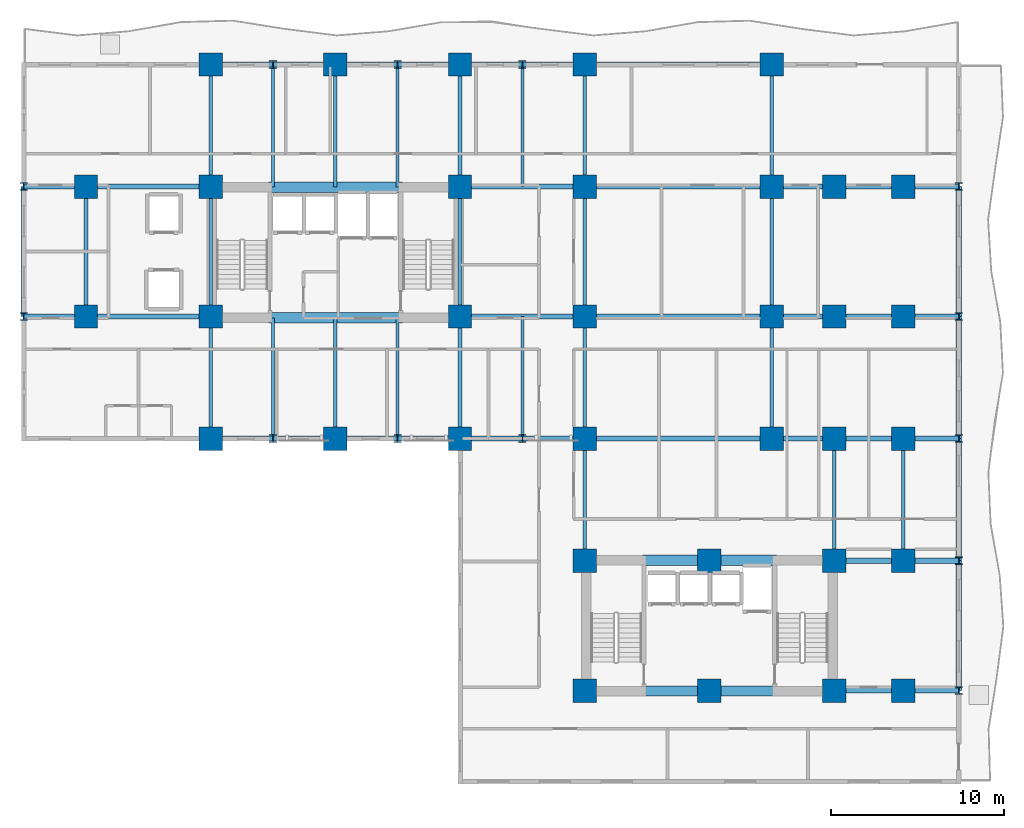
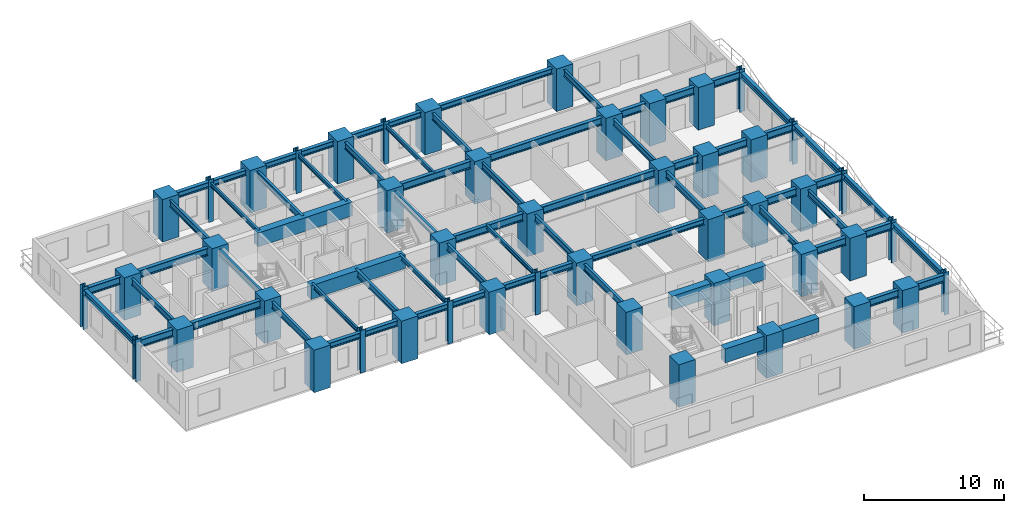
# One storey, part 1 of 11: 68 beams, 47 columns.
"""IFC4 building model written with IfcOpenShell, lengths in metres."""

from ifc_helpers import new_model, si_unit, direction, frame, origin, origin_2d, place, context, subcontext, project, spatial, rectangle, i_section, extrude, source, transform, mapped, material, material_profile, profile_set, type_object, element, save


model = new_model("IFC4")

# Units and contexts
model_context = context("Model", 3, precision=1e-05, world=origin(), true_north=direction((0.0, 1.0)))
body_context = subcontext(model_context, "Body", "Model", "MODEL_VIEW")
ifc_project = project(units=[si_unit("LENGTHUNIT", "METRE"), si_unit("AREAUNIT", "SQUARE_METRE"), si_unit("VOLUMEUNIT", "CUBIC_METRE"), si_unit("PLANEANGLEUNIT", "RADIAN"), si_unit("MASSUNIT", "GRAM", prefix="KILO")], contexts=[model_context])

# Site, building, storey
site_placement = place(None, origin())
site = spatial("IfcSite", under=ifc_project, at=site_placement, CompositionType="ELEMENT")
building_placement = place(site_placement, origin())
building = spatial("IfcBuilding", under=site, at=building_placement, Name="Kaliganga Portal Commons", CompositionType="ELEMENT")
storey_placement = place(building_placement, frame((0.0, 0.0, 36.39990234375)))
storey = spatial("IfcBuildingStorey", under=building, at=storey_placement, Name="L08", CompositionType="ELEMENT", Elevation=36.39990234375)

# Columns
ifc_material_1 = material(Name="Concrete C70/85", Category="concrete")
ifc_material_profile_1 = material_profile(ifc_material_1, rectangle(XDim=1.35009765625, YDim=1.35009765625, at=origin_2d()), Name="RC 1350x1350")
ifc_profile_set_1 = profile_set([ifc_material_profile_1], Name="Concrete C70/85")
column_type_1 = type_object("IfcColumnType", Name="COL-MEGA-Z1", PredefinedType="COLUMN", material=ifc_profile_set_1)
shared_shape_1 = source(origin(), body_context, "Body", "SweptSolid", [
    extrude(rectangle(XDim=1.35009765625, YDim=1.35009765625, at=origin_2d()), origin(), (0.0, 0.0, 1.0), 3.7001953125),
])
for number, where, z_axis, x_axis, name in (
    (1, (7.199951171875, 28.64990234375, 0.0), (0.0, 0.0, 1.0), (1.0, 0.0, 0.0), "Column MC-02 L08"),
    (2, (7.199951171875, 36.14990234375, 0.0), (0.0, 0.0, 1.0), (1.0, 0.0, 0.0), "Column MC-02 L08"),
    (3, (14.39990234375, 21.60009765625, 0.0), (0.0, 0.0, 1.0), (1.0, 0.0, 0.0), "Column MC-02 L08"),
    (4, (14.39990234375, 28.64990234375, 0.0), (0.0, 0.0, 1.0), (1.0, 0.0, 0.0), "Column MC-02 L08"),
    (5, (14.39990234375, 36.14990234375, 0.0), (0.0, 0.0, 1.0), (1.0, 0.0, 0.0), "Column MC-02 L08"),
    (6, (14.39990234375, 43.199951171875, 0.0), (0.0, 0.0, 1.0), (1.0, 0.0, 0.0), "Column MC-02 L08"),
    (7, (21.60009765625, 21.60009765625, 0.0), (0.0, 0.0, 1.0), (1.0, 0.0, 0.0), "Column MC-02 L08"),
    (8, (21.60009765625, 43.199951171875, 0.0), (0.0, 0.0, 1.0), (1.0, 0.0, 0.0), "Column MC-02 L08"),
    (9, (28.800048828125, 21.60009765625, 0.0), (0.0, 0.0, 1.0), (1.0, 0.0, 0.0), "Column MC-02 L08"),
    (10, (28.800048828125, 28.64990234375, 0.0), (0.0, 0.0, 1.0), (1.0, 0.0, 0.0), "Column MC-02 L08"),
    (11, (28.800048828125, 36.14990234375, 0.0), (0.0, 0.0, 1.0), (1.0, 0.0, 0.0), "Column MC-02 L08"),
    (12, (28.800048828125, 43.199951171875, 0.0), (0.0, 0.0, 1.0), (1.0, 0.0, 0.0), "Column MC-02 L08"),
    (13, (36.0, 21.60009765625, 0.0), (0.0, 0.0, 1.0), (1.0, 0.0, 0.0), "Column MC-02 L08"),
    (14, (36.0, 43.199951171875, 0.0), (0.0, 0.0, 1.0), (1.0, 0.0, 0.0), "Column MC-02 L08"),
    (15, (36.0, 28.64990234375, 0.0), (0.0, 0.0, 1.0), (1.0, 0.0, 0.0), "Column MC-02 L08"),
    (16, (36.0, 36.14990234375, 0.0), (0.0, 0.0, 1.0), (1.0, 0.0, 0.0), "Column MC-02 L08"),
    (17, (46.800048828125, 21.60009765625, 0.0), (0.0, 0.0, 1.0), (1.0, 0.0, 0.0), "Column MC-02 L08"),
    (18, (46.800048828125, 28.64990234375, 0.0), (0.0, 0.0, 1.0), (1.0, 0.0, 0.0), "Column MC-02 L08"),
    (19, (46.800048828125, 36.14990234375, 0.0), (0.0, 0.0, 1.0), (1.0, 0.0, 0.0), "Column MC-02 L08"),
    (20, (46.800048828125, 43.199951171875, 0.0), (0.0, 0.0, 1.0), (1.0, 0.0, 0.0), "Column MC-02 L08"),
    (21, (36.0, 7.050048828125, 0.0), (0.0, 0.0, 1.0), (1.0, 0.0, 0.0), "Column MC-02 L08"),
    (22, (36.0, 14.550048828125, 0.0), (0.0, 0.0, 1.0), (1.0, 0.0, 0.0), "Column MC-02 L08"),
    (23, (43.199951171875, 7.050048828125, 0.0), (0.0, 0.0, 1.0), (1.0, 0.0, 0.0), "Column MC-02 L08"),
    (24, (43.199951171875, 14.550048828125, 0.0), (0.0, 0.0, 1.0), (1.0, 0.0, 0.0), "Column MC-02 L08"),
    (25, (50.39990234375, 7.050048828125, 0.0), (0.0, 0.0, 1.0), (1.0, 0.0, 0.0), "Column MC-02 L08"),
    (26, (50.39990234375, 14.550048828125, 0.0), (0.0, 0.0, 1.0), (1.0, 0.0, 0.0), "Column MC-02 L08"),
    (27, (50.39990234375, 21.60009765625, 0.0), (0.0, 0.0, 1.0), (1.0, 0.0, 0.0), "Column MC-02 L08"),
    (28, (50.39990234375, 28.64990234375, 0.0), (0.0, 0.0, 1.0), (1.0, 0.0, 0.0), "Column MC-02 L08"),
    (29, (50.39990234375, 36.14990234375, 0.0), (0.0, 0.0, 1.0), (1.0, 0.0, 0.0), "Column MC-02 L08"),
    (30, (54.39990234375, 7.050048828125, 0.0), (0.0, 0.0, 1.0), (1.0, 0.0, 0.0), "Column MC-02 L08"),
    (31, (54.39990234375, 14.550048828125, 0.0), (0.0, 0.0, 1.0), (1.0, 0.0, 0.0), "Column MC-02 L08"),
    (32, (54.39990234375, 21.60009765625, 0.0), (0.0, 0.0, 1.0), (1.0, 0.0, 0.0), "Column MC-02 L08"),
    (33, (54.39990234375, 28.64990234375, 0.0), (0.0, 0.0, 1.0), (1.0, 0.0, 0.0), "Column MC-02 L08"),
    (34, (54.39990234375, 36.14990234375, 0.0), (0.0, 0.0, 1.0), (1.0, 0.0, 0.0), "Column MC-02 L08"),
):
    element("IfcColumn", number, at=place(storey_placement, frame(where, z_axis=z_axis, x_axis=x_axis)), inside=storey, type_object=column_type_1, Name=name, PredefinedType="COLUMN", context=body_context, shape_type="MappedRepresentation", body=[
        mapped(shared_shape_1, transform((0.0, 0.0, 0.0), x_axis=(1.0, 0.0, 0.0), y_axis=(0.0, 1.0, 0.0), z_axis=(0.0, 0.0, 1.0), scale=1.0)),
    ])
ifc_material_2 = material(Name="Structural steel S460M", Category="steel")
ifc_material_profile_2 = material_profile(ifc_material_2, i_section(OverallWidth=0.416015625, OverallDepth=0.446044921875, WebThickness=0.029052734375, FlangeThickness=0.0400390625, FilletRadius=0.014892578125, at=origin_2d()), Name="HD 400x509")
ifc_profile_set_2 = profile_set([ifc_material_profile_2], Name="Structural steel S460M wide-flange")
column_type_2 = type_object("IfcColumnType", Name="COL-TUBE-B1", PredefinedType="COLUMN", material=ifc_profile_set_2)
shared_shape_2 = source(origin(), body_context, "Body", "SweptSolid", [
    extrude(i_section(OverallWidth=0.416015625, OverallDepth=0.446044921875, WebThickness=0.029052734375, FlangeThickness=0.0400390625, FilletRadius=0.014892578125, at=origin_2d()), origin(), (0.0, 0.0, 1.0), 3.7001953125),
])
for number, where, z_axis, x_axis, name in (
    (35, (3.60009765625, 28.64990234375, 0.0), (0.0, 0.0, 1.0), (1.0, 0.0, 0.0), "Column TC-01 L08"),
    (36, (3.60009765625, 36.14990234375, 0.0), (0.0, 0.0, 1.0), (1.0, 0.0, 0.0), "Column TC-01 L08"),
    (37, (18.0, 21.60009765625, 0.0), (0.0, 0.0, 1.0), (1.0, 0.0, 0.0), "Column TC-01 L08"),
    (38, (18.0, 43.199951171875, 0.0), (0.0, 0.0, 1.0), (1.0, 0.0, 0.0), "Column TC-01 L08"),
    (39, (25.199951171875, 21.60009765625, 0.0), (0.0, 0.0, 1.0), (1.0, 0.0, 0.0), "Column TC-01 L08"),
    (40, (25.199951171875, 43.199951171875, 0.0), (0.0, 0.0, 1.0), (1.0, 0.0, 0.0), "Column TC-01 L08"),
    (41, (32.39990234375, 21.60009765625, 0.0), (0.0, 0.0, 1.0), (1.0, 0.0, 0.0), "Column TC-01 L08"),
    (42, (32.39990234375, 43.199951171875, 0.0), (0.0, 0.0, 1.0), (1.0, 0.0, 0.0), "Column TC-01 L08"),
    (43, (57.60009765625, 7.050048828125, 0.0), (0.0, 0.0, 1.0), (1.0, 0.0, 0.0), "Column TC-01 L08"),
    (44, (57.60009765625, 14.550048828125, 0.0), (0.0, 0.0, 1.0), (1.0, 0.0, 0.0), "Column TC-01 L08"),
    (45, (57.60009765625, 21.60009765625, 0.0), (0.0, 0.0, 1.0), (1.0, 0.0, 0.0), "Column TC-01 L08"),
    (46, (57.60009765625, 28.64990234375, 0.0), (0.0, 0.0, 1.0), (1.0, 0.0, 0.0), "Column TC-01 L08"),
    (47, (57.60009765625, 36.14990234375, 0.0), (0.0, 0.0, 1.0), (1.0, 0.0, 0.0), "Column TC-01 L08"),
):
    element("IfcColumn", number, at=place(storey_placement, frame(where, z_axis=z_axis, x_axis=x_axis)), inside=storey, type_object=column_type_2, Name=name, PredefinedType="COLUMN", context=body_context, shape_type="MappedRepresentation", body=[
        mapped(shared_shape_2, transform((0.0, 0.0, 0.0), x_axis=(1.0, 0.0, 0.0), y_axis=(0.0, 1.0, 0.0), z_axis=(0.0, 0.0, 1.0), scale=1.0)),
    ])

# Beams
ifc_material_3 = material(Name="Concrete C60/75", Category="concrete")
ifc_material_profile_3 = material_profile(ifc_material_3, rectangle(XDim=0.60009765625, YDim=1.199951171875, at=origin_2d()), Name="RC 600x1200")
ifc_profile_set_3 = profile_set([ifc_material_profile_3], Name="Concrete C60/75")
beam_type_1 = type_object("IfcBeamType", Name="BM-CPL-1200", PredefinedType="LINTEL", material=ifc_profile_set_3)
shared_shape_3 = source(origin(), body_context, "Body", "SweptSolid", [
    extrude(rectangle(XDim=0.60009765625, YDim=1.199951171875, at=origin_2d()), origin(), (0.0, 0.0, 1.0), 7.739990234375),
])
for number, where, z_axis, x_axis, name in (
    (48, (17.72998046875, 28.574951171875, 2.85009765625), (1.0, 0.0, 0.0), (0.0, 1.0, 0.0), "BM CPL COREA L08 S"),
    (49, (17.72998046875, 36.125, 2.85009765625), (1.0, 0.0, 0.0), (0.0, 1.0, 0.0), "BM CPL COREA L08 N"),
    (50, (39.330078125, 7.02490234375, 2.85009765625), (1.0, 0.0, 0.0), (0.0, 1.0, 0.0), "BM CPL COREB L08 S"),
    (51, (39.330078125, 14.574951171875, 2.85009765625), (1.0, 0.0, 0.0), (0.0, 1.0, 0.0), "BM CPL COREB L08 N"),
):
    element("IfcBeam", number, at=place(storey_placement, frame(where, z_axis=z_axis, x_axis=x_axis)), inside=storey, type_object=beam_type_1, Name=name, PredefinedType="LINTEL", context=body_context, shape_type="MappedRepresentation", body=[
        mapped(shared_shape_3, transform((0.0, 0.0, 0.0), x_axis=(1.0, 0.0, 0.0), y_axis=(0.0, 1.0, 0.0), z_axis=(0.0, 0.0, 1.0), scale=1.0)),
    ])
ifc_material_4 = material(Name="Structural steel S355J2", Category="steel")
ifc_material_profile_4 = material_profile(ifc_material_4, i_section(OverallWidth=0.300048828125, OverallDepth=0.5, WebThickness=0.014404296875, FlangeThickness=0.028076171875, FilletRadius=0.027099609375, at=origin_2d()), Name="HE 500 B")
ifc_profile_set_4 = profile_set([ifc_material_profile_4], Name="Structural steel S355J2 wide-flange")
beam_type_2 = type_object("IfcBeamType", Name="BM-SPAND-500", PredefinedType="SPANDREL", material=ifc_profile_set_4)
shared_shape_4 = source(origin(), body_context, "Body", "SweptSolid", [
    extrude(i_section(OverallWidth=0.300048828125, OverallDepth=0.5, WebThickness=0.014404296875, FlangeThickness=0.028076171875, FilletRadius=0.027099609375, at=origin_2d()), origin(), (0.0, 0.0, 1.0), 10.800048828125),
])
for number, where, z_axis, x_axis, name in (
    (52, (36.0, 43.199951171875, 3.2001953125), (1.0, 0.0, 0.0), (0.0, 1.0, 0.0), "BM SP L08 AN 7"),
    (53, (36.0, 21.60009765625, 3.2001953125), (1.0, 0.0, 0.0), (0.0, 1.0, 0.0), "BM SP L08 AS 7"),
):
    element("IfcBeam", number, at=place(storey_placement, frame(where, z_axis=z_axis, x_axis=x_axis)), inside=storey, type_object=beam_type_2, Name=name, PredefinedType="SPANDREL", context=body_context, shape_type="MappedRepresentation", body=[
        mapped(shared_shape_4, transform((0.0, 0.0, 0.0), x_axis=(1.0, 0.0, 0.0), y_axis=(0.0, 1.0, 0.0), z_axis=(0.0, 0.0, 1.0), scale=1.0)),
    ])
shared_shape_5 = source(origin(), body_context, "Body", "SweptSolid", [
    extrude(i_section(OverallWidth=0.300048828125, OverallDepth=0.5, WebThickness=0.014404296875, FlangeThickness=0.028076171875, FilletRadius=0.027099609375, at=origin_2d()), origin(), (0.0, 0.0, 1.0), 7.5),
])
for number, where, z_axis, x_axis, name in (
    (54, (3.60009765625, 28.64990234375, 3.2001953125), (0.0, 1.0, 0.0), (-1.0, 0.0, 0.0), "BM SP L08 AW"),
    (55, (57.60009765625, 7.050048828125, 3.2001953125), (0.0, 1.0, 0.0), (-1.0, 0.0, 0.0), "BM SP L08 BE 1"),
    (56, (57.60009765625, 28.64990234375, 3.2001953125), (0.0, 1.0, 0.0), (-1.0, 0.0, 0.0), "BM SP L08 BE 4"),
):
    element("IfcBeam", number, at=place(storey_placement, frame(where, z_axis=z_axis, x_axis=x_axis)), inside=storey, type_object=beam_type_2, Name=name, PredefinedType="SPANDREL", context=body_context, shape_type="MappedRepresentation", body=[
        mapped(shared_shape_5, transform((0.0, 0.0, 0.0), x_axis=(1.0, 0.0, 0.0), y_axis=(0.0, 1.0, 0.0), z_axis=(0.0, 0.0, 1.0), scale=1.0)),
    ])
shared_shape_6 = source(origin(), body_context, "Body", "SweptSolid", [
    extrude(i_section(OverallWidth=0.300048828125, OverallDepth=0.5, WebThickness=0.014404296875, FlangeThickness=0.028076171875, FilletRadius=0.027099609375, at=origin_2d()), origin(), (0.0, 0.0, 1.0), 7.050048828125),
])
beam_1_placement = place(storey_placement, frame((57.60009765625, 14.550048828125, 3.2001953125), z_axis=(0.0, 1.0, 0.0), x_axis=(-1.0, 0.0, 0.0)))
element("IfcBeam", 57, at=beam_1_placement, inside=storey, type_object=beam_type_2, Name="BM SP L08 BE 2", PredefinedType="SPANDREL", context=body_context, shape_type="MappedRepresentation", body=[
    mapped(shared_shape_6, transform((0.0, 0.0, 0.0), x_axis=(1.0, 0.0, 0.0), y_axis=(0.0, 1.0, 0.0), z_axis=(0.0, 0.0, 1.0), scale=1.0)),
])
shared_shape_7 = source(origin(), body_context, "Body", "SweptSolid", [
    extrude(i_section(OverallWidth=0.300048828125, OverallDepth=0.5, WebThickness=0.014404296875, FlangeThickness=0.028076171875, FilletRadius=0.027099609375, at=origin_2d()), origin(), (0.0, 0.0, 1.0), 7.0498046875),
])
beam_2_placement = place(storey_placement, frame((57.60009765625, 21.60009765625, 3.2001953125), z_axis=(0.0, 1.0, 0.0), x_axis=(-1.0, 0.0, 0.0)))
element("IfcBeam", 58, at=beam_2_placement, inside=storey, type_object=beam_type_2, Name="BM SP L08 BE 3", PredefinedType="SPANDREL", context=body_context, shape_type="MappedRepresentation", body=[
    mapped(shared_shape_7, transform((0.0, 0.0, 0.0), x_axis=(1.0, 0.0, 0.0), y_axis=(0.0, 1.0, 0.0), z_axis=(0.0, 0.0, 1.0), scale=1.0)),
])
shared_shape_8 = source(origin(), body_context, "Body", "SweptSolid", [
    extrude(i_section(OverallWidth=0.300048828125, OverallDepth=0.5, WebThickness=0.014404296875, FlangeThickness=0.028076171875, FilletRadius=0.027099609375, at=origin_2d()), origin(), (0.0, 0.0, 1.0), 3.60009765625),
])
for number, where, z_axis, x_axis, name in (
    (59, (14.39990234375, 43.199951171875, 3.2001953125), (1.0, 0.0, 0.0), (0.0, 1.0, 0.0), "BM SP L08 AN 1"),
    (60, (18.0, 43.199951171875, 3.2001953125), (1.0, 0.0, 0.0), (0.0, 1.0, 0.0), "BM SP L08 AN 2"),
    (61, (25.199951171875, 43.199951171875, 3.2001953125), (1.0, 0.0, 0.0), (0.0, 1.0, 0.0), "BM SP L08 AN 4"),
    (62, (32.39990234375, 43.199951171875, 3.2001953125), (1.0, 0.0, 0.0), (0.0, 1.0, 0.0), "BM SP L08 AN 6"),
    (63, (14.39990234375, 21.60009765625, 3.2001953125), (1.0, 0.0, 0.0), (0.0, 1.0, 0.0), "BM SP L08 AS 1"),
    (64, (18.0, 21.60009765625, 3.2001953125), (1.0, 0.0, 0.0), (0.0, 1.0, 0.0), "BM SP L08 AS 2"),
    (65, (25.199951171875, 21.60009765625, 3.2001953125), (1.0, 0.0, 0.0), (0.0, 1.0, 0.0), "BM SP L08 AS 4"),
    (66, (32.39990234375, 21.60009765625, 3.2001953125), (1.0, 0.0, 0.0), (0.0, 1.0, 0.0), "BM SP L08 AS 6"),
):
    element("IfcBeam", number, at=place(storey_placement, frame(where, z_axis=z_axis, x_axis=x_axis)), inside=storey, type_object=beam_type_2, Name=name, PredefinedType="SPANDREL", context=body_context, shape_type="MappedRepresentation", body=[
        mapped(shared_shape_8, transform((0.0, 0.0, 0.0), x_axis=(1.0, 0.0, 0.0), y_axis=(0.0, 1.0, 0.0), z_axis=(0.0, 0.0, 1.0), scale=1.0)),
    ])
shared_shape_9 = source(origin(), body_context, "Body", "SweptSolid", [
    extrude(i_section(OverallWidth=0.300048828125, OverallDepth=0.5, WebThickness=0.014404296875, FlangeThickness=0.028076171875, FilletRadius=0.027099609375, at=origin_2d()), origin(), (0.0, 0.0, 1.0), 3.599853515625),
])
for number, where, z_axis, x_axis, name in (
    (67, (21.60009765625, 43.199951171875, 3.2001953125), (1.0, 0.0, 0.0), (0.0, 1.0, 0.0), "BM SP L08 AN 3"),
    (68, (28.800048828125, 43.199951171875, 3.2001953125), (1.0, 0.0, 0.0), (0.0, 1.0, 0.0), "BM SP L08 AN 5"),
    (69, (21.60009765625, 21.60009765625, 3.2001953125), (1.0, 0.0, 0.0), (0.0, 1.0, 0.0), "BM SP L08 AS 3"),
    (70, (28.800048828125, 21.60009765625, 3.2001953125), (1.0, 0.0, 0.0), (0.0, 1.0, 0.0), "BM SP L08 AS 5"),
):
    element("IfcBeam", number, at=place(storey_placement, frame(where, z_axis=z_axis, x_axis=x_axis)), inside=storey, type_object=beam_type_2, Name=name, PredefinedType="SPANDREL", context=body_context, shape_type="MappedRepresentation", body=[
        mapped(shared_shape_9, transform((0.0, 0.0, 0.0), x_axis=(1.0, 0.0, 0.0), y_axis=(0.0, 1.0, 0.0), z_axis=(0.0, 0.0, 1.0), scale=1.0)),
    ])
ifc_material_profile_5 = material_profile(ifc_material_4, i_section(OverallWidth=0.300048828125, OverallDepth=0.64990234375, WebThickness=0.01611328125, FlangeThickness=0.031005859375, FilletRadius=0.027099609375, at=origin_2d()), Name="HE 650 B")
ifc_profile_set_5 = profile_set([ifc_material_profile_5], Name="Structural steel S355J2 wide-flange")
beam_type_3 = type_object("IfcBeamType", Name="BM-GIRD-650", PredefinedType="USERDEFINED", material=ifc_profile_set_5)
shared_shape_10 = source(origin(), body_context, "Body", "SweptSolid", [
    extrude(i_section(OverallWidth=0.300048828125, OverallDepth=0.64990234375, WebThickness=0.01611328125, FlangeThickness=0.031005859375, FilletRadius=0.027099609375, at=origin_2d()), origin(), (0.0, 0.0, 1.0), 3.599853515625),
])
for number, where, z_axis, x_axis, name in (
    (71, (3.60009765625, 28.64990234375, 3.125), (1.0, 0.0, 0.0), (0.0, 1.0, 0.0), "BM G L08 WAH_S 1"),
    (72, (3.60009765625, 36.14990234375, 3.125), (1.0, 0.0, 0.0), (0.0, 1.0, 0.0), "BM G L08 WAH_N 1"),
    (73, (46.800048828125, 21.60009765625, 3.125), (1.0, 0.0, 0.0), (0.0, 1.0, 0.0), "BM G L08 BKE216 1"),
    (74, (46.800048828125, 28.64990234375, 3.125), (1.0, 0.0, 0.0), (0.0, 1.0, 0.0), "BM G L08 BKE286 1"),
    (75, (46.800048828125, 36.14990234375, 3.125), (1.0, 0.0, 0.0), (0.0, 1.0, 0.0), "BM G L08 BKE362 1"),
):
    element("IfcBeam", number, at=place(storey_placement, frame(where, z_axis=z_axis, x_axis=x_axis)), inside=storey, type_object=beam_type_3, Name=name, ObjectType="GIRDER", PredefinedType="USERDEFINED", context=body_context, shape_type="MappedRepresentation", body=[
        mapped(shared_shape_10, transform((0.0, 0.0, 0.0), x_axis=(1.0, 0.0, 0.0), y_axis=(0.0, 1.0, 0.0), z_axis=(0.0, 0.0, 1.0), scale=1.0)),
    ])
shared_shape_11 = source(origin(), body_context, "Body", "SweptSolid", [
    extrude(i_section(OverallWidth=0.300048828125, OverallDepth=0.64990234375, WebThickness=0.01611328125, FlangeThickness=0.031005859375, FilletRadius=0.027099609375, at=origin_2d()), origin(), (0.0, 0.0, 1.0), 7.199951171875),
])
for number, where, z_axis, x_axis, name in (
    (76, (7.199951171875, 28.64990234375, 3.125), (1.0, 0.0, 0.0), (0.0, 1.0, 0.0), "BM G L08 WAH_S 2"),
    (77, (7.199951171875, 36.14990234375, 3.125), (1.0, 0.0, 0.0), (0.0, 1.0, 0.0), "BM G L08 WAH_N 2"),
    (78, (28.800048828125, 28.64990234375, 3.125), (1.0, 0.0, 0.0), (0.0, 1.0, 0.0), "BM G L08 WAE_S 1"),
    (79, (28.800048828125, 36.14990234375, 3.125), (1.0, 0.0, 0.0), (0.0, 1.0, 0.0), "BM G L08 WAE_N 1"),
):
    element("IfcBeam", number, at=place(storey_placement, frame(where, z_axis=z_axis, x_axis=x_axis)), inside=storey, type_object=beam_type_3, Name=name, ObjectType="GIRDER", PredefinedType="USERDEFINED", context=body_context, shape_type="MappedRepresentation", body=[
        mapped(shared_shape_11, transform((0.0, 0.0, 0.0), x_axis=(1.0, 0.0, 0.0), y_axis=(0.0, 1.0, 0.0), z_axis=(0.0, 0.0, 1.0), scale=1.0)),
    ])
shared_shape_12 = source(origin(), body_context, "Body", "SweptSolid", [
    extrude(i_section(OverallWidth=0.300048828125, OverallDepth=0.64990234375, WebThickness=0.01611328125, FlangeThickness=0.031005859375, FilletRadius=0.027099609375, at=origin_2d()), origin(), (0.0, 0.0, 1.0), 10.800048828125),
])
for number, where, z_axis, x_axis, name in (
    (80, (36.0, 28.64990234375, 3.125), (1.0, 0.0, 0.0), (0.0, 1.0, 0.0), "BM G L08 WAE_S 2"),
    (81, (36.0, 36.14990234375, 3.125), (1.0, 0.0, 0.0), (0.0, 1.0, 0.0), "BM G L08 WAE_N 2"),
):
    element("IfcBeam", number, at=place(storey_placement, frame(where, z_axis=z_axis, x_axis=x_axis)), inside=storey, type_object=beam_type_3, Name=name, ObjectType="GIRDER", PredefinedType="USERDEFINED", context=body_context, shape_type="MappedRepresentation", body=[
        mapped(shared_shape_12, transform((0.0, 0.0, 0.0), x_axis=(1.0, 0.0, 0.0), y_axis=(0.0, 1.0, 0.0), z_axis=(0.0, 0.0, 1.0), scale=1.0)),
    ])
ifc_material_profile_6 = material_profile(ifc_material_4, i_section(OverallWidth=0.2099609375, OverallDepth=0.550048828125, WebThickness=0.010986328125, FlangeThickness=0.01708984375, FilletRadius=0.02392578125, at=origin_2d()), Name="IPE 550")
ifc_profile_set_6 = profile_set([ifc_material_profile_6], Name="Structural steel S355J2 wide-flange")
beam_type_4 = type_object("IfcBeamType", Name="BM-FLR-550", PredefinedType="BEAM", material=ifc_profile_set_6)
shared_shape_13 = source(origin(), body_context, "Body", "SweptSolid", [
    extrude(i_section(OverallWidth=0.2099609375, OverallDepth=0.550048828125, WebThickness=0.010986328125, FlangeThickness=0.01708984375, FilletRadius=0.02392578125, at=origin_2d()), origin(), (0.0, 0.0, 1.0), 7.5),
])
for number, where, z_axis, x_axis, name in (
    (82, (7.199951171875, 28.64990234375, 3.175048828125), (0.0, 1.0, 0.0), (-1.0, 0.0, 0.0), "BM G L08 AW72"),
    (83, (14.39990234375, 28.64990234375, 3.175048828125), (0.0, 1.0, 0.0), (-1.0, 0.0, 0.0), "BM G L08 AM144"),
    (84, (28.800048828125, 28.64990234375, 3.175048828125), (0.0, 1.0, 0.0), (-1.0, 0.0, 0.0), "BM G L08 AM288"),
    (85, (36.0, 28.64990234375, 3.175048828125), (0.0, 1.0, 0.0), (-1.0, 0.0, 0.0), "BM G L08 AM360"),
    (86, (46.800048828125, 28.64990234375, 3.175048828125), (0.0, 1.0, 0.0), (-1.0, 0.0, 0.0), "BM G L08 AM468"),
):
    element("IfcBeam", number, at=place(storey_placement, frame(where, z_axis=z_axis, x_axis=x_axis)), inside=storey, type_object=beam_type_4, Name=name, PredefinedType="BEAM", context=body_context, shape_type="MappedRepresentation", body=[
        mapped(shared_shape_13, transform((0.0, 0.0, 0.0), x_axis=(1.0, 0.0, 0.0), y_axis=(0.0, 1.0, 0.0), z_axis=(0.0, 0.0, 1.0), scale=1.0)),
    ])
shared_shape_14 = source(origin(), body_context, "Body", "SweptSolid", [
    extrude(i_section(OverallWidth=0.2099609375, OverallDepth=0.550048828125, WebThickness=0.010986328125, FlangeThickness=0.01708984375, FilletRadius=0.02392578125, at=origin_2d()), origin(), (0.0, 0.0, 1.0), 7.050048828125),
])
for number, where, z_axis, x_axis, name in (
    (87, (14.39990234375, 36.14990234375, 3.175048828125), (0.0, 1.0, 0.0), (-1.0, 0.0, 0.0), "BM G L08 AN144"),
    (88, (28.800048828125, 36.14990234375, 3.175048828125), (0.0, 1.0, 0.0), (-1.0, 0.0, 0.0), "BM G L08 AN288"),
    (89, (36.0, 36.14990234375, 3.175048828125), (0.0, 1.0, 0.0), (-1.0, 0.0, 0.0), "BM G L08 AN360"),
    (90, (46.800048828125, 36.14990234375, 3.175048828125), (0.0, 1.0, 0.0), (-1.0, 0.0, 0.0), "BM G L08 AN468"),
    (91, (36.0, 14.550048828125, 3.175048828125), (0.0, 1.0, 0.0), (-1.0, 0.0, 0.0), "BM G L08 BNK360"),
    (92, (50.39990234375, 14.550048828125, 3.175048828125), (0.0, 1.0, 0.0), (-1.0, 0.0, 0.0), "BM G L08 BNK504"),
    (93, (54.39990234375, 14.550048828125, 3.175048828125), (0.0, 1.0, 0.0), (-1.0, 0.0, 0.0), "BM G L08 BNK544"),
):
    element("IfcBeam", number, at=place(storey_placement, frame(where, z_axis=z_axis, x_axis=x_axis)), inside=storey, type_object=beam_type_4, Name=name, PredefinedType="BEAM", context=body_context, shape_type="MappedRepresentation", body=[
        mapped(shared_shape_14, transform((0.0, 0.0, 0.0), x_axis=(1.0, 0.0, 0.0), y_axis=(0.0, 1.0, 0.0), z_axis=(0.0, 0.0, 1.0), scale=1.0)),
    ])
shared_shape_15 = source(origin(), body_context, "Body", "SweptSolid", [
    extrude(i_section(OverallWidth=0.2099609375, OverallDepth=0.550048828125, WebThickness=0.010986328125, FlangeThickness=0.01708984375, FilletRadius=0.02392578125, at=origin_2d()), origin(), (0.0, 0.0, 1.0), 7.0498046875),
])
for number, where, z_axis, x_axis, name in (
    (94, (14.39990234375, 21.60009765625, 3.175048828125), (0.0, 1.0, 0.0), (-1.0, 0.0, 0.0), "BM G L08 AS144"),
    (95, (28.800048828125, 21.60009765625, 3.175048828125), (0.0, 1.0, 0.0), (-1.0, 0.0, 0.0), "BM G L08 AS288"),
    (96, (36.0, 21.60009765625, 3.175048828125), (0.0, 1.0, 0.0), (-1.0, 0.0, 0.0), "BM G L08 AS360"),
    (97, (46.800048828125, 21.60009765625, 3.175048828125), (0.0, 1.0, 0.0), (-1.0, 0.0, 0.0), "BM G L08 AS468"),
):
    element("IfcBeam", number, at=place(storey_placement, frame(where, z_axis=z_axis, x_axis=x_axis)), inside=storey, type_object=beam_type_4, Name=name, PredefinedType="BEAM", context=body_context, shape_type="MappedRepresentation", body=[
        mapped(shared_shape_15, transform((0.0, 0.0, 0.0), x_axis=(1.0, 0.0, 0.0), y_axis=(0.0, 1.0, 0.0), z_axis=(0.0, 0.0, 1.0), scale=1.0)),
    ])
ifc_material_profile_7 = material_profile(ifc_material_4, i_section(OverallWidth=0.169921875, OverallDepth=0.360107421875, WebThickness=0.008056640625, FlangeThickness=0.0126953125, FilletRadius=0.01806640625, at=origin_2d()), Name="IPE 360")
ifc_profile_set_7 = profile_set([ifc_material_profile_7], Name="Structural steel S355J2 wide-flange")
beam_type_5 = type_object("IfcBeamType", Name="BM-JST-360", PredefinedType="JOIST", material=ifc_profile_set_7)
shared_shape_16 = source(origin(), body_context, "Body", "SweptSolid", [
    extrude(i_section(OverallWidth=0.169921875, OverallDepth=0.360107421875, WebThickness=0.008056640625, FlangeThickness=0.0126953125, FilletRadius=0.01806640625, at=origin_2d()), origin(), (0.0, 0.0, 1.0), 7.074951171875),
])
for number, where, z_axis, x_axis, name in (
    (98, (18.0, 36.125, 3.27001953125), (0.0, 1.0, 0.0), (-1.0, 0.0, 0.0), "BM G L08 AN180"),
    (99, (25.199951171875, 36.125, 3.27001953125), (0.0, 1.0, 0.0), (-1.0, 0.0, 0.0), "BM G L08 AN252"),
):
    element("IfcBeam", number, at=place(storey_placement, frame(where, z_axis=z_axis, x_axis=x_axis)), inside=storey, type_object=beam_type_5, Name=name, PredefinedType="JOIST", context=body_context, shape_type="MappedRepresentation", body=[
        mapped(shared_shape_16, transform((0.0, 0.0, 0.0), x_axis=(1.0, 0.0, 0.0), y_axis=(0.0, 1.0, 0.0), z_axis=(0.0, 0.0, 1.0), scale=1.0)),
    ])
shared_shape_17 = source(origin(), body_context, "Body", "SweptSolid", [
    extrude(i_section(OverallWidth=0.169921875, OverallDepth=0.360107421875, WebThickness=0.008056640625, FlangeThickness=0.0126953125, FilletRadius=0.01806640625, at=origin_2d()), origin(), (0.0, 0.0, 1.0), 6.974853515625),
])
for number, where, z_axis, x_axis, name in (
    (100, (18.0, 21.60009765625, 3.27001953125), (0.0, 1.0, 0.0), (-1.0, 0.0, 0.0), "BM G L08 AS180"),
    (101, (25.199951171875, 21.60009765625, 3.27001953125), (0.0, 1.0, 0.0), (-1.0, 0.0, 0.0), "BM G L08 AS252"),
):
    element("IfcBeam", number, at=place(storey_placement, frame(where, z_axis=z_axis, x_axis=x_axis)), inside=storey, type_object=beam_type_5, Name=name, PredefinedType="JOIST", context=body_context, shape_type="MappedRepresentation", body=[
        mapped(shared_shape_17, transform((0.0, 0.0, 0.0), x_axis=(1.0, 0.0, 0.0), y_axis=(0.0, 1.0, 0.0), z_axis=(0.0, 0.0, 1.0), scale=1.0)),
    ])
shared_shape_18 = source(origin(), body_context, "Body", "SweptSolid", [
    extrude(i_section(OverallWidth=0.2099609375, OverallDepth=0.550048828125, WebThickness=0.010986328125, FlangeThickness=0.01708984375, FilletRadius=0.02392578125, at=origin_2d()), origin(), (0.0, 0.0, 1.0), 7.074951171875),
])
beam_3_placement = place(storey_placement, frame((21.60009765625, 36.125, 3.175048828125), z_axis=(0.0, 1.0, 0.0), x_axis=(-1.0, 0.0, 0.0)))
element("IfcBeam", 102, at=beam_3_placement, inside=storey, type_object=beam_type_4, Name="BM G L08 AN216", PredefinedType="BEAM", context=body_context, shape_type="MappedRepresentation", body=[
    mapped(shared_shape_18, transform((0.0, 0.0, 0.0), x_axis=(1.0, 0.0, 0.0), y_axis=(0.0, 1.0, 0.0), z_axis=(0.0, 0.0, 1.0), scale=1.0)),
])
shared_shape_19 = source(origin(), body_context, "Body", "SweptSolid", [
    extrude(i_section(OverallWidth=0.2099609375, OverallDepth=0.550048828125, WebThickness=0.010986328125, FlangeThickness=0.01708984375, FilletRadius=0.02392578125, at=origin_2d()), origin(), (0.0, 0.0, 1.0), 6.974853515625),
])
beam_4_placement = place(storey_placement, frame((21.60009765625, 21.60009765625, 3.175048828125), z_axis=(0.0, 1.0, 0.0), x_axis=(-1.0, 0.0, 0.0)))
element("IfcBeam", 103, at=beam_4_placement, inside=storey, type_object=beam_type_4, Name="BM G L08 AS216", PredefinedType="BEAM", context=body_context, shape_type="MappedRepresentation", body=[
    mapped(shared_shape_19, transform((0.0, 0.0, 0.0), x_axis=(1.0, 0.0, 0.0), y_axis=(0.0, 1.0, 0.0), z_axis=(0.0, 0.0, 1.0), scale=1.0)),
])
shared_shape_20 = source(origin(), body_context, "Body", "SweptSolid", [
    extrude(i_section(OverallWidth=0.169921875, OverallDepth=0.360107421875, WebThickness=0.008056640625, FlangeThickness=0.0126953125, FilletRadius=0.01806640625, at=origin_2d()), origin(), (0.0, 0.0, 1.0), 7.050048828125),
])
beam_5_placement = place(storey_placement, frame((32.39990234375, 36.14990234375, 3.27001953125), z_axis=(0.0, 1.0, 0.0), x_axis=(-1.0, 0.0, 0.0)))
element("IfcBeam", 104, at=beam_5_placement, inside=storey, type_object=beam_type_5, Name="BM G L08 AN324", PredefinedType="JOIST", context=body_context, shape_type="MappedRepresentation", body=[
    mapped(shared_shape_20, transform((0.0, 0.0, 0.0), x_axis=(1.0, 0.0, 0.0), y_axis=(0.0, 1.0, 0.0), z_axis=(0.0, 0.0, 1.0), scale=1.0)),
])
shared_shape_21 = source(origin(), body_context, "Body", "SweptSolid", [
    extrude(i_section(OverallWidth=0.169921875, OverallDepth=0.360107421875, WebThickness=0.008056640625, FlangeThickness=0.0126953125, FilletRadius=0.01806640625, at=origin_2d()), origin(), (0.0, 0.0, 1.0), 7.0498046875),
])
beam_6_placement = place(storey_placement, frame((32.39990234375, 21.60009765625, 3.27001953125), z_axis=(0.0, 1.0, 0.0), x_axis=(-1.0, 0.0, 0.0)))
element("IfcBeam", 105, at=beam_6_placement, inside=storey, type_object=beam_type_5, Name="BM G L08 AS324", PredefinedType="JOIST", context=body_context, shape_type="MappedRepresentation", body=[
    mapped(shared_shape_21, transform((0.0, 0.0, 0.0), x_axis=(1.0, 0.0, 0.0), y_axis=(0.0, 1.0, 0.0), z_axis=(0.0, 0.0, 1.0), scale=1.0)),
])
shared_shape_22 = source(origin(), body_context, "Body", "SweptSolid", [
    extrude(i_section(OverallWidth=0.300048828125, OverallDepth=0.64990234375, WebThickness=0.01611328125, FlangeThickness=0.031005859375, FilletRadius=0.027099609375, at=origin_2d()), origin(), (0.0, 0.0, 1.0), 4.0),
])
for number, where, z_axis, x_axis, name in (
    (106, (50.39990234375, 7.050048828125, 3.125), (1.0, 0.0, 0.0), (0.0, 1.0, 0.0), "BM G L08 BKE70 1"),
    (107, (50.39990234375, 14.550048828125, 3.125), (1.0, 0.0, 0.0), (0.0, 1.0, 0.0), "BM G L08 BKE146 1"),
    (108, (50.39990234375, 21.60009765625, 3.125), (1.0, 0.0, 0.0), (0.0, 1.0, 0.0), "BM G L08 BKE216 2"),
    (109, (50.39990234375, 28.64990234375, 3.125), (1.0, 0.0, 0.0), (0.0, 1.0, 0.0), "BM G L08 BKE286 2"),
    (110, (50.39990234375, 36.14990234375, 3.125), (1.0, 0.0, 0.0), (0.0, 1.0, 0.0), "BM G L08 BKE362 2"),
):
    element("IfcBeam", number, at=place(storey_placement, frame(where, z_axis=z_axis, x_axis=x_axis)), inside=storey, type_object=beam_type_3, Name=name, ObjectType="GIRDER", PredefinedType="USERDEFINED", context=body_context, shape_type="MappedRepresentation", body=[
        mapped(shared_shape_22, transform((0.0, 0.0, 0.0), x_axis=(1.0, 0.0, 0.0), y_axis=(0.0, 1.0, 0.0), z_axis=(0.0, 0.0, 1.0), scale=1.0)),
    ])
shared_shape_23 = source(origin(), body_context, "Body", "SweptSolid", [
    extrude(i_section(OverallWidth=0.300048828125, OverallDepth=0.64990234375, WebThickness=0.01611328125, FlangeThickness=0.031005859375, FilletRadius=0.027099609375, at=origin_2d()), origin(), (0.0, 0.0, 1.0), 3.2001953125),
])
for number, where, z_axis, x_axis, name in (
    (111, (54.39990234375, 7.050048828125, 3.125), (1.0, 0.0, 0.0), (0.0, 1.0, 0.0), "BM G L08 BKE70 2"),
    (112, (54.39990234375, 14.550048828125, 3.125), (1.0, 0.0, 0.0), (0.0, 1.0, 0.0), "BM G L08 BKE146 2"),
    (113, (54.39990234375, 21.60009765625, 3.125), (1.0, 0.0, 0.0), (0.0, 1.0, 0.0), "BM G L08 BKE216 3"),
    (114, (54.39990234375, 28.64990234375, 3.125), (1.0, 0.0, 0.0), (0.0, 1.0, 0.0), "BM G L08 BKE286 3"),
    (115, (54.39990234375, 36.14990234375, 3.125), (1.0, 0.0, 0.0), (0.0, 1.0, 0.0), "BM G L08 BKE362 3"),
):
    element("IfcBeam", number, at=place(storey_placement, frame(where, z_axis=z_axis, x_axis=x_axis)), inside=storey, type_object=beam_type_3, Name=name, ObjectType="GIRDER", PredefinedType="USERDEFINED", context=body_context, shape_type="MappedRepresentation", body=[
        mapped(shared_shape_23, transform((0.0, 0.0, 0.0), x_axis=(1.0, 0.0, 0.0), y_axis=(0.0, 1.0, 0.0), z_axis=(0.0, 0.0, 1.0), scale=1.0)),
    ])

save(model, "model.ifc")
